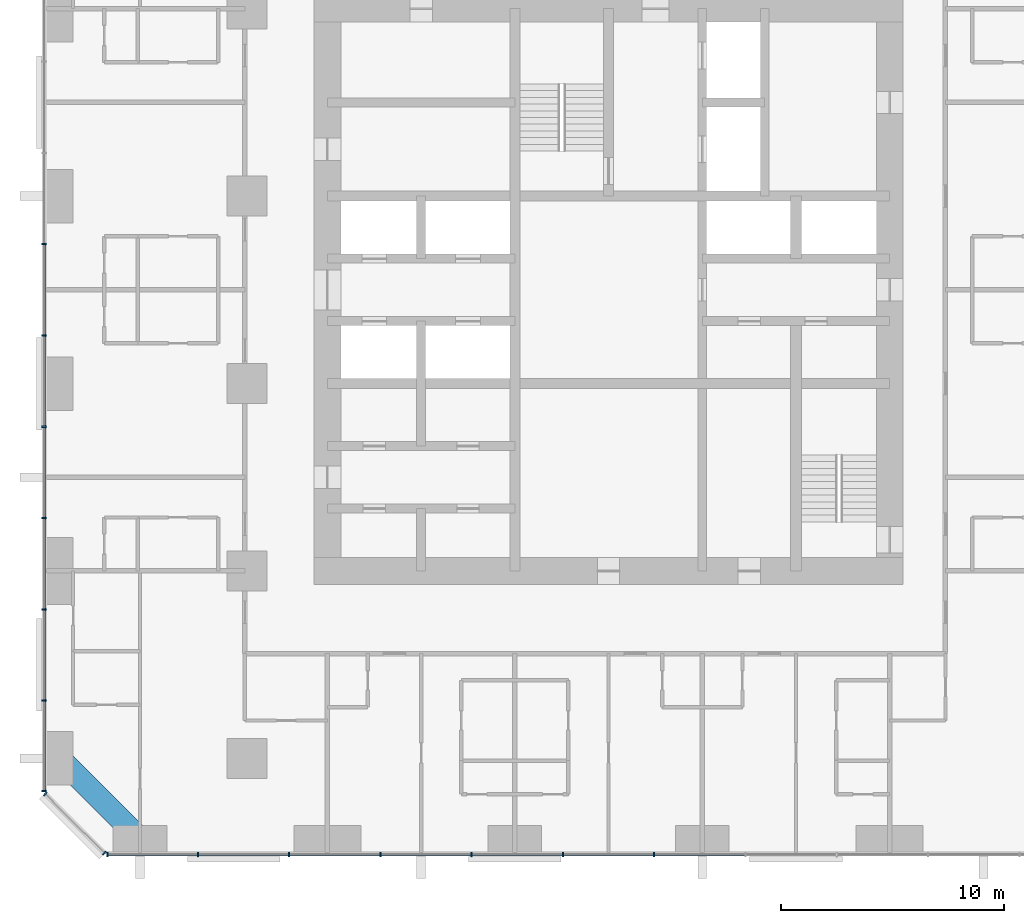
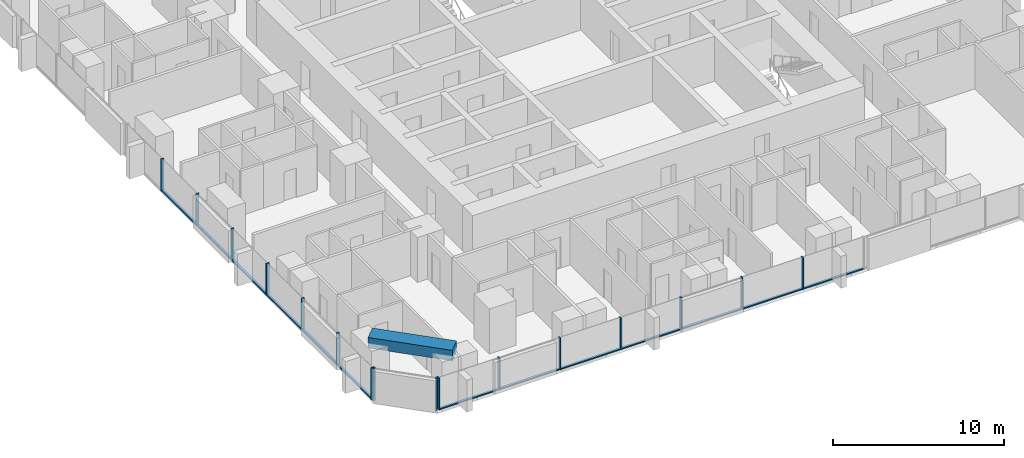
# One storey, part 2 of 13: 29 members, 1 beam, 3 elements without a shape of their own.
"""IFC4 building model written with IfcOpenShell, lengths in metres."""

from ifc_helpers import new_model, si_unit, direction, frame, origin, origin_2d, place, context, subcontext, project, spatial, rectangle, extrude, material, material_profile, profile_set, type_object, element, aggregate, save


model = new_model("IFC4")

# Units and contexts
model_context = context("Model", 3, precision=1e-05, world=origin(), true_north=direction((0.0, 1.0)))
body_context = subcontext(model_context, "Body", "Model", "MODEL_VIEW")
ifc_project = project(units=[si_unit("LENGTHUNIT", "METRE"), si_unit("AREAUNIT", "SQUARE_METRE"), si_unit("VOLUMEUNIT", "CUBIC_METRE"), si_unit("PLANEANGLEUNIT", "RADIAN"), si_unit("MASSUNIT", "GRAM", prefix="KILO")], contexts=[model_context])

# Site, building, storey
site_placement = place(None, origin())
site = spatial("IfcSite", under=ifc_project, at=site_placement, CompositionType="ELEMENT")
building_placement = place(site_placement, origin())
building = spatial("IfcBuilding", under=site, at=building_placement, Name="Dunama Terrace Hotel", CompositionType="ELEMENT")
storey_placement = place(building_placement, frame((0.0, 0.0, 216.60009765625)))
storey = spatial("IfcBuildingStorey", under=building, at=storey_placement, Name="L56", CompositionType="ELEMENT", Elevation=216.60009765625)

# Curtain wall, members
ifc_material_1 = material(Name="Aluminium curtain wall system", Category="aluminium")
curtain_wall_type = type_object("IfcCurtainWallType", Name="Unitised fritted glass wall CW-C", PredefinedType="NOTDEFINED", material=ifc_material_1)
curtain_wall_1_placement = place(storey_placement, origin())
curtain_wall_1 = element("IfcCurtainWall", 1, at=curtain_wall_1_placement, inside=storey, type_object=curtain_wall_type, Name="Unitised fritted glass wall CW-C L56", PredefinedType="NOTDEFINED")
ifc_material_2 = material(Name="Aluminium mullion", Category="aluminium")
ifc_material_profile_1 = material_profile(ifc_material_2, rectangle(XDim=0.070068359375, YDim=0.199951171875, at=origin_2d()), Name="CWC MULLION 70X200")
ifc_profile_set_1 = profile_set([ifc_material_profile_1], Name="Aluminium mullion")
member_type_1 = type_object("IfcMemberType", Name="CWC mullion 70x200", PredefinedType="MULLION", material=ifc_profile_set_1)
member_1_placement = place(storey_placement, frame((6.93505859375, 4.10009765625, 0.0), z_axis=(0.0, 0.0, 1.0), x_axis=(1.0, 0.0, 0.0)))
member_1 = element("IfcMember", 2, at=member_1_placement, type_object=member_type_1, Name="CWC mullion", PredefinedType="MULLION", context=body_context, shape_type="SweptSolid", body=[
    extrude(rectangle(XDim=0.070068359375, YDim=0.199951171875, at=origin_2d()), origin(), (0.0, 0.0, 1.0), 2.27880859375),
])
member_2_placement = place(storey_placement, frame((10.990966796875, 4.10009765625, 0.0), z_axis=(0.0, 0.0, 1.0), x_axis=(1.0, 0.0, 0.0)))
member_2 = element("IfcMember", 3, at=member_2_placement, type_object=member_type_1, Name="CWC mullion", PredefinedType="MULLION", context=body_context, shape_type="SweptSolid", body=[
    extrude(rectangle(XDim=0.070068359375, YDim=0.199951171875, at=origin_2d()), origin(), (0.0, 0.0, 1.0), 2.27880859375),
])
member_3_placement = place(storey_placement, frame((15.08203125, 4.10009765625, 0.0), z_axis=(0.0, 0.0, 1.0), x_axis=(1.0, 0.0, 0.0)))
member_3 = element("IfcMember", 4, at=member_3_placement, type_object=member_type_1, Name="CWC mullion", PredefinedType="MULLION", context=body_context, shape_type="SweptSolid", body=[
    extrude(rectangle(XDim=0.070068359375, YDim=0.199951171875, at=origin_2d()), origin(), (0.0, 0.0, 1.0), 2.27880859375),
])
member_4_placement = place(storey_placement, frame((19.173095703125, 4.10009765625, 0.0), z_axis=(0.0, 0.0, 1.0), x_axis=(1.0, 0.0, 0.0)))
member_4 = element("IfcMember", 5, at=member_4_placement, type_object=member_type_1, Name="CWC mullion", PredefinedType="MULLION", context=body_context, shape_type="SweptSolid", body=[
    extrude(rectangle(XDim=0.070068359375, YDim=0.199951171875, at=origin_2d()), origin(), (0.0, 0.0, 1.0), 2.27880859375),
])
member_5_placement = place(storey_placement, frame((23.263916015625, 4.10009765625, 0.0), z_axis=(0.0, 0.0, 1.0), x_axis=(1.0, 0.0, 0.0)))
member_5 = element("IfcMember", 6, at=member_5_placement, type_object=member_type_1, Name="CWC mullion", PredefinedType="MULLION", context=body_context, shape_type="SweptSolid", body=[
    extrude(rectangle(XDim=0.070068359375, YDim=0.199951171875, at=origin_2d()), origin(), (0.0, 0.0, 1.0), 2.27880859375),
])
member_6_placement = place(storey_placement, frame((27.35498046875, 4.10009765625, 0.0), z_axis=(0.0, 0.0, 1.0), x_axis=(1.0, 0.0, 0.0)))
member_6 = element("IfcMember", 7, at=member_6_placement, type_object=member_type_1, Name="CWC mullion", PredefinedType="MULLION", context=body_context, shape_type="SweptSolid", body=[
    extrude(rectangle(XDim=0.070068359375, YDim=0.199951171875, at=origin_2d()), origin(), (0.0, 0.0, 1.0), 2.27880859375),
])
member_7_placement = place(storey_placement, frame((31.445068359375, 4.10009765625, 0.0), z_axis=(0.0, 0.0, 1.0), x_axis=(1.0, 0.0, 0.0)))
member_7 = element("IfcMember", 8, at=member_7_placement, type_object=member_type_1, Name="CWC mullion", PredefinedType="MULLION", context=body_context, shape_type="SweptSolid", body=[
    extrude(rectangle(XDim=0.070068359375, YDim=0.199951171875, at=origin_2d()), origin(), (0.0, 0.0, 1.0), 2.27880859375),
])

curtain_wall_2_placement = place(storey_placement, origin())
curtain_wall_2 = element("IfcCurtainWall", 9, at=curtain_wall_2_placement, inside=storey, type_object=curtain_wall_type, Name="Unitised fritted glass wall CW-C L56", PredefinedType="NOTDEFINED")
member_8_placement = place(storey_placement, frame((4.10009765625, 31.445068359375, 0.0), z_axis=(0.0, 0.0, 1.0), x_axis=(0.0, -1.0, 0.0)))
member_8 = element("IfcMember", 10, at=member_8_placement, type_object=member_type_1, Name="CWC mullion", PredefinedType="MULLION", context=body_context, shape_type="SweptSolid", body=[
    extrude(rectangle(XDim=0.070068359375, YDim=0.199951171875, at=origin_2d()), origin(), (0.0, 0.0, 1.0), 2.27880859375),
])
member_9_placement = place(storey_placement, frame((4.10009765625, 27.35498046875, 0.0), z_axis=(0.0, 0.0, 1.0), x_axis=(0.0, -1.0, 0.0)))
member_9 = element("IfcMember", 11, at=member_9_placement, type_object=member_type_1, Name="CWC mullion", PredefinedType="MULLION", context=body_context, shape_type="SweptSolid", body=[
    extrude(rectangle(XDim=0.070068359375, YDim=0.199951171875, at=origin_2d()), origin(), (0.0, 0.0, 1.0), 2.27880859375),
])
member_10_placement = place(storey_placement, frame((4.10009765625, 23.263916015625, 0.0), z_axis=(0.0, 0.0, 1.0), x_axis=(0.0, -1.0, 0.0)))
member_10 = element("IfcMember", 12, at=member_10_placement, type_object=member_type_1, Name="CWC mullion", PredefinedType="MULLION", context=body_context, shape_type="SweptSolid", body=[
    extrude(rectangle(XDim=0.070068359375, YDim=0.199951171875, at=origin_2d()), origin(), (0.0, 0.0, 1.0), 2.27880859375),
])
member_11_placement = place(storey_placement, frame((4.10009765625, 19.173095703125, 0.0), z_axis=(0.0, 0.0, 1.0), x_axis=(0.0, -1.0, 0.0)))
member_11 = element("IfcMember", 13, at=member_11_placement, type_object=member_type_1, Name="CWC mullion", PredefinedType="MULLION", context=body_context, shape_type="SweptSolid", body=[
    extrude(rectangle(XDim=0.070068359375, YDim=0.199951171875, at=origin_2d()), origin(), (0.0, 0.0, 1.0), 2.27880859375),
])
member_12_placement = place(storey_placement, frame((4.10009765625, 15.08203125, 0.0), z_axis=(0.0, 0.0, 1.0), x_axis=(0.0, -1.0, 0.0)))
member_12 = element("IfcMember", 14, at=member_12_placement, type_object=member_type_1, Name="CWC mullion", PredefinedType="MULLION", context=body_context, shape_type="SweptSolid", body=[
    extrude(rectangle(XDim=0.070068359375, YDim=0.199951171875, at=origin_2d()), origin(), (0.0, 0.0, 1.0), 2.27880859375),
])
member_13_placement = place(storey_placement, frame((4.10009765625, 10.990966796875, 0.0), z_axis=(0.0, 0.0, 1.0), x_axis=(0.0, -1.0, 0.0)))
member_13 = element("IfcMember", 15, at=member_13_placement, type_object=member_type_1, Name="CWC mullion", PredefinedType="MULLION", context=body_context, shape_type="SweptSolid", body=[
    extrude(rectangle(XDim=0.070068359375, YDim=0.199951171875, at=origin_2d()), origin(), (0.0, 0.0, 1.0), 2.27880859375),
])
member_14_placement = place(storey_placement, frame((4.10009765625, 6.93505859375, 0.0), z_axis=(0.0, 0.0, 1.0), x_axis=(0.0, -1.0, 0.0)))
member_14 = element("IfcMember", 16, at=member_14_placement, type_object=member_type_1, Name="CWC mullion", PredefinedType="MULLION", context=body_context, shape_type="SweptSolid", body=[
    extrude(rectangle(XDim=0.070068359375, YDim=0.199951171875, at=origin_2d()), origin(), (0.0, 0.0, 1.0), 2.27880859375),
])

curtain_wall_3_placement = place(storey_placement, origin())
curtain_wall_3 = element("IfcCurtainWall", 17, at=curtain_wall_3_placement, inside=storey, type_object=curtain_wall_type, Name="Unitised fritted glass wall CW-C L56", PredefinedType="NOTDEFINED")
member_15_placement = place(storey_placement, frame((4.154052734375, 6.804931640625, 0.0), z_axis=(0.0, 0.0, 1.0), x_axis=(0.707106781187, -0.707106781187, 0.0)))
member_15 = element("IfcMember", 18, at=member_15_placement, type_object=member_type_1, Name="CWC mullion", PredefinedType="MULLION", context=body_context, shape_type="SweptSolid", body=[
    extrude(rectangle(XDim=0.070068359375, YDim=0.199951171875, at=origin_2d()), origin(), (0.0, 0.0, 1.0), 2.27880859375),
])
member_16_placement = place(storey_placement, frame((6.804931640625, 4.154052734375, 0.0), z_axis=(0.0, 0.0, 1.0), x_axis=(0.707106781187, -0.707106781187, 0.0)))
member_16 = element("IfcMember", 19, at=member_16_placement, type_object=member_type_1, Name="CWC mullion", PredefinedType="MULLION", context=body_context, shape_type="SweptSolid", body=[
    extrude(rectangle(XDim=0.070068359375, YDim=0.199951171875, at=origin_2d()), origin(), (0.0, 0.0, 1.0), 2.27880859375),
])
aggregate(curtain_wall_3, [member_15, member_16])

# Member
ifc_material_3 = material(Name="Aluminium transom", Category="aluminium")
ifc_material_profile_2 = material_profile(ifc_material_3, rectangle(XDim=0.159912109375, YDim=0.080078125, at=origin_2d()), Name="CWC TRANSOM 160X80")
ifc_profile_set_2 = profile_set([ifc_material_profile_2], Name="Aluminium transom")
member_type_2 = type_object("IfcMemberType", Name="CWC transom 160x80", PredefinedType="USERDEFINED", material=ifc_profile_set_2)
member_17_placement = place(storey_placement, frame((6.969970703125, 4.10009765625, 0.039794921875), z_axis=(1.0, 0.0, 0.0), x_axis=(0.0, 1.0, 0.0)))
member_17 = element("IfcMember", 20, at=member_17_placement, type_object=member_type_2, Name="CWC transom", ObjectType="TRANSOM", PredefinedType="USERDEFINED", context=body_context, shape_type="SweptSolid", body=[
    extrude(rectangle(XDim=0.159912109375, YDim=0.080078125, at=origin_2d()), origin(), (0.0, 0.0, 1.0), 3.986083984375),
])

member_18_placement = place(storey_placement, frame((11.02587890625, 4.10009765625, 0.039794921875), z_axis=(1.0, 0.0, 0.0), x_axis=(0.0, 1.0, 0.0)))
member_18 = element("IfcMember", 21, at=member_18_placement, type_object=member_type_2, Name="CWC transom", ObjectType="TRANSOM", PredefinedType="USERDEFINED", context=body_context, shape_type="SweptSolid", body=[
    extrude(rectangle(XDim=0.159912109375, YDim=0.080078125, at=origin_2d()), origin(), (0.0, 0.0, 1.0), 4.021240234375),
])

member_19_placement = place(storey_placement, frame((15.116943359375, 4.10009765625, 0.039794921875), z_axis=(1.0, 0.0, 0.0), x_axis=(0.0, 1.0, 0.0)))
member_19 = element("IfcMember", 22, at=member_19_placement, type_object=member_type_2, Name="CWC transom", ObjectType="TRANSOM", PredefinedType="USERDEFINED", context=body_context, shape_type="SweptSolid", body=[
    extrude(rectangle(XDim=0.159912109375, YDim=0.080078125, at=origin_2d()), origin(), (0.0, 0.0, 1.0), 4.02099609375),
])

member_20_placement = place(storey_placement, frame((19.2080078125, 4.10009765625, 0.039794921875), z_axis=(1.0, 0.0, 0.0), x_axis=(0.0, 1.0, 0.0)))
member_20 = element("IfcMember", 23, at=member_20_placement, type_object=member_type_2, Name="CWC transom", ObjectType="TRANSOM", PredefinedType="USERDEFINED", context=body_context, shape_type="SweptSolid", body=[
    extrude(rectangle(XDim=0.159912109375, YDim=0.080078125, at=origin_2d()), origin(), (0.0, 0.0, 1.0), 4.02099609375),
])

member_21_placement = place(storey_placement, frame((23.299072265625, 4.10009765625, 0.039794921875), z_axis=(1.0, 0.0, 0.0), x_axis=(0.0, 1.0, 0.0)))
member_21 = element("IfcMember", 24, at=member_21_placement, type_object=member_type_2, Name="CWC transom", ObjectType="TRANSOM", PredefinedType="USERDEFINED", context=body_context, shape_type="SweptSolid", body=[
    extrude(rectangle(XDim=0.159912109375, YDim=0.080078125, at=origin_2d()), origin(), (0.0, 0.0, 1.0), 4.02099609375),
])

member_22_placement = place(storey_placement, frame((27.389892578125, 4.10009765625, 0.039794921875), z_axis=(1.0, 0.0, 0.0), x_axis=(0.0, 1.0, 0.0)))
member_22 = element("IfcMember", 25, at=member_22_placement, type_object=member_type_2, Name="CWC transom", ObjectType="TRANSOM", PredefinedType="USERDEFINED", context=body_context, shape_type="SweptSolid", body=[
    extrude(rectangle(XDim=0.159912109375, YDim=0.080078125, at=origin_2d()), origin(), (0.0, 0.0, 1.0), 4.02001953125),
])

member_23_placement = place(storey_placement, frame((31.47998046875, 4.10009765625, 0.039794921875), z_axis=(1.0, 0.0, 0.0), x_axis=(0.0, 1.0, 0.0)))
member_23 = element("IfcMember", 26, at=member_23_placement, type_object=member_type_2, Name="CWC transom", ObjectType="TRANSOM", PredefinedType="USERDEFINED", context=body_context, shape_type="SweptSolid", body=[
    extrude(rectangle(XDim=0.159912109375, YDim=0.080078125, at=origin_2d()), origin(), (0.0, 0.0, 1.0), 4.02099609375),
])

aggregate(curtain_wall_1, [member_1, member_2, member_3, member_4, member_5, member_6, member_7, member_17, member_18, member_19, member_20, member_21, member_22, member_23])

member_24_placement = place(storey_placement, frame((4.10009765625, 31.409912109375, 0.039794921875), z_axis=(0.0, -1.0, 0.0), x_axis=(1.0, 0.0, 0.0)))
member_24 = element("IfcMember", 27, at=member_24_placement, type_object=member_type_2, Name="CWC transom", ObjectType="TRANSOM", PredefinedType="USERDEFINED", context=body_context, shape_type="SweptSolid", body=[
    extrude(rectangle(XDim=0.159912109375, YDim=0.080078125, at=origin_2d()), origin(), (0.0, 0.0, 1.0), 4.02001953125),
])

member_25_placement = place(storey_placement, frame((4.10009765625, 27.320068359375, 0.039794921875), z_axis=(0.0, -1.0, 0.0), x_axis=(1.0, 0.0, 0.0)))
member_25 = element("IfcMember", 28, at=member_25_placement, type_object=member_type_2, Name="CWC transom", ObjectType="TRANSOM", PredefinedType="USERDEFINED", context=body_context, shape_type="SweptSolid", body=[
    extrude(rectangle(XDim=0.159912109375, YDim=0.080078125, at=origin_2d()), origin(), (0.0, 0.0, 1.0), 4.02099609375),
])

member_26_placement = place(storey_placement, frame((4.10009765625, 23.22900390625, 0.039794921875), z_axis=(0.0, -1.0, 0.0), x_axis=(1.0, 0.0, 0.0)))
member_26 = element("IfcMember", 29, at=member_26_placement, type_object=member_type_2, Name="CWC transom", ObjectType="TRANSOM", PredefinedType="USERDEFINED", context=body_context, shape_type="SweptSolid", body=[
    extrude(rectangle(XDim=0.159912109375, YDim=0.080078125, at=origin_2d()), origin(), (0.0, 0.0, 1.0), 4.02099609375),
])

member_27_placement = place(storey_placement, frame((4.10009765625, 19.137939453125, 0.039794921875), z_axis=(0.0, -1.0, 0.0), x_axis=(1.0, 0.0, 0.0)))
member_27 = element("IfcMember", 30, at=member_27_placement, type_object=member_type_2, Name="CWC transom", ObjectType="TRANSOM", PredefinedType="USERDEFINED", context=body_context, shape_type="SweptSolid", body=[
    extrude(rectangle(XDim=0.159912109375, YDim=0.080078125, at=origin_2d()), origin(), (0.0, 0.0, 1.0), 4.02099609375),
])

member_28_placement = place(storey_placement, frame((4.10009765625, 15.047119140625, 0.039794921875), z_axis=(0.0, -1.0, 0.0), x_axis=(1.0, 0.0, 0.0)))
member_28 = element("IfcMember", 31, at=member_28_placement, type_object=member_type_2, Name="CWC transom", ObjectType="TRANSOM", PredefinedType="USERDEFINED", context=body_context, shape_type="SweptSolid", body=[
    extrude(rectangle(XDim=0.159912109375, YDim=0.080078125, at=origin_2d()), origin(), (0.0, 0.0, 1.0), 4.021240234375),
])

member_29_placement = place(storey_placement, frame((4.10009765625, 10.9560546875, 0.039794921875), z_axis=(0.0, -1.0, 0.0), x_axis=(1.0, 0.0, 0.0)))
member_29 = element("IfcMember", 32, at=member_29_placement, type_object=member_type_2, Name="CWC transom", ObjectType="TRANSOM", PredefinedType="USERDEFINED", context=body_context, shape_type="SweptSolid", body=[
    extrude(rectangle(XDim=0.159912109375, YDim=0.080078125, at=origin_2d()), origin(), (0.0, 0.0, 1.0), 3.986083984375),
])

aggregate(curtain_wall_2, [member_8, member_9, member_10, member_11, member_12, member_13, member_14, member_24, member_25, member_26, member_27, member_28, member_29])

# Beam
ifc_material_4 = material(Name="Concrete C50/60", Category="concrete")
ifc_material_profile_3 = material_profile(ifc_material_4, rectangle(XDim=1.0, YDim=0.75, at=origin_2d()), Name="RC 1000x750")
ifc_profile_set_3 = profile_set([ifc_material_profile_3], Name="Concrete C50/60")
beam_type = type_object("IfcBeamType", Name="Edge beam RC 1000x750", PredefinedType="SPANDREL", material=ifc_profile_set_3)
beam_placement = place(storey_placement, frame((8.39990234375, 4.800048828125, 3.224853515625), z_axis=(-0.707106781187, 0.707106781187, 0.0), x_axis=(-0.707106781187, -0.707106781187, 0.0)))
element("IfcBeam", 33, at=beam_placement, inside=storey, type_object=beam_type, Name="Corner edge beam under L57", PredefinedType="SPANDREL", context=body_context, shape_type="SweptSolid", body=[
    extrude(rectangle(XDim=1.0, YDim=0.75, at=origin_2d()), origin(), (0.0, 0.0, 1.0), 5.091064453125),
])

save(model, "model.ifc")
